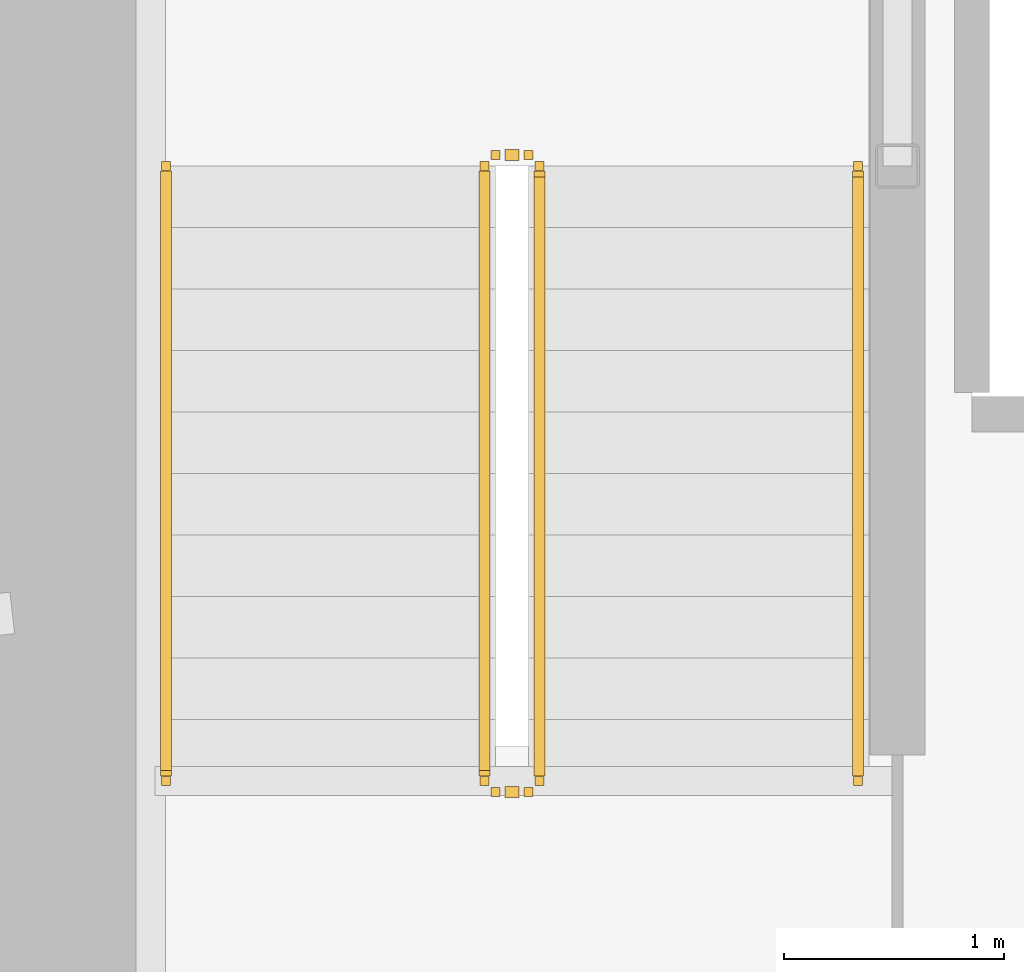
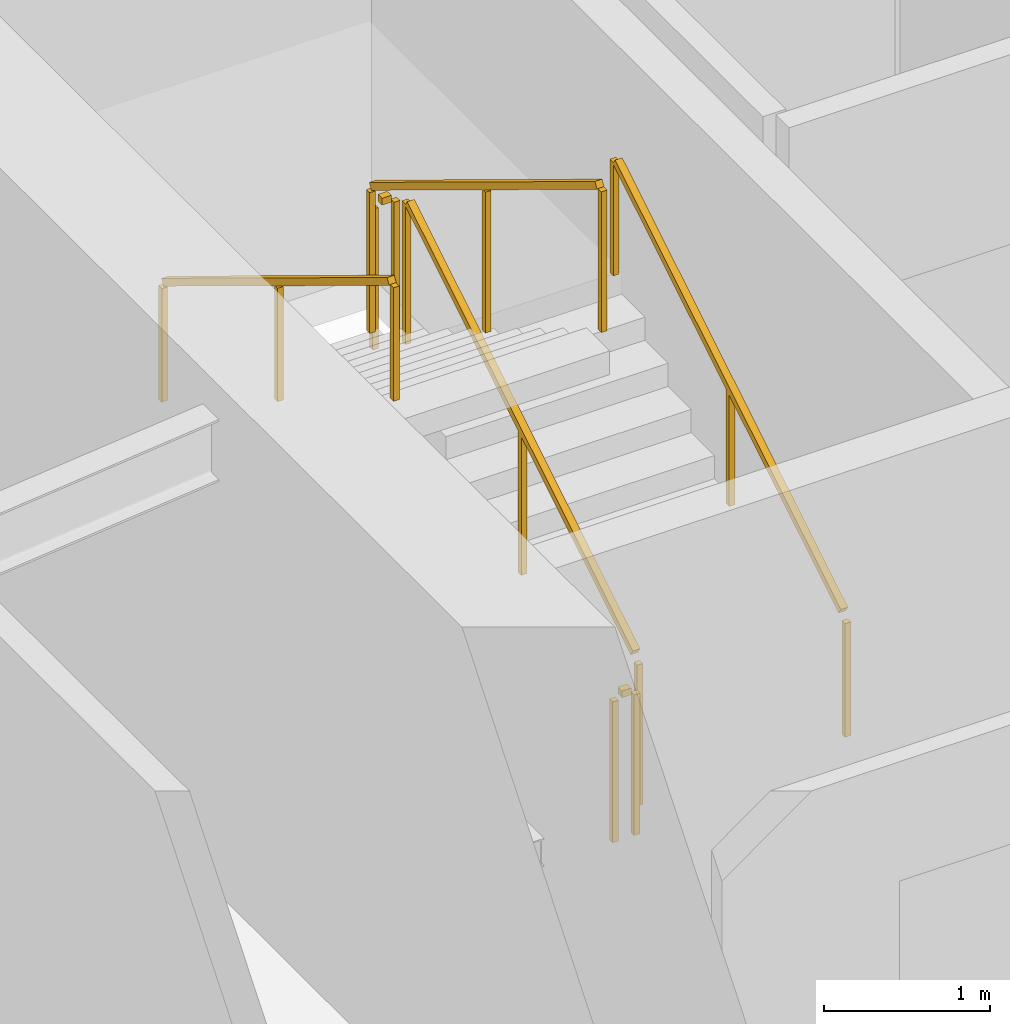
# One storey, part 17 of 20: 6 railings.
"""IFC4 building model written with IfcOpenShell, lengths in metres."""

from ifc_helpers import new_model, si_unit, direction, frame, origin, origin_2d, place, context, subcontext, project, spatial, rectangle, extrude, material, type_object, element, save


model = new_model("IFC4")

# Units and contexts
model_context = context("Model", 3, precision=1e-05, world=origin(), true_north=direction((0.0, 1.0)))
body_context = subcontext(model_context, "Body", "Model", "MODEL_VIEW")
ifc_project = project(units=[si_unit("LENGTHUNIT", "METRE"), si_unit("AREAUNIT", "SQUARE_METRE"), si_unit("VOLUMEUNIT", "CUBIC_METRE"), si_unit("PLANEANGLEUNIT", "RADIAN"), si_unit("MASSUNIT", "GRAM", prefix="KILO")], contexts=[model_context])

# Site, building, storey
site_placement = place(None, origin())
site = spatial("IfcSite", under=ifc_project, at=site_placement, CompositionType="ELEMENT")
building_placement = place(site_placement, origin())
building = spatial("IfcBuilding", under=site, at=building_placement, Name="Kazma Halo Residences", CompositionType="ELEMENT")
storey_placement = place(building_placement, frame((0.0, 0.0, 142.800048828125)))
storey = spatial("IfcBuildingStorey", under=building, at=storey_placement, Name="L35", CompositionType="ELEMENT", Elevation=142.800048828125)

# Railings
ifc_material_1 = material(Name="Painted Steel S355", Category="steel")
railing_type_1 = type_object("IfcRailingType", Name="RLG-STAIR-GRD-1100", PredefinedType="GUARDRAIL", material=ifc_material_1)
railing_1_placement = place(storey_placement, frame((39.550048828125, 39.949951171875, 0.17041015625)))
element("IfcRailing", 1, at=railing_1_placement, inside=storey, type_object=railing_type_1, Name="L35 ST-01 stair guard 1", PredefinedType="GUARDRAIL", context=body_context, shape_type="SweptSolid", body=[
    extrude(rectangle(XDim=0.050048828125, YDim=0.050048828125, at=origin_2d()), frame((0.0, 0.036376953125, 1.09716796875), z_axis=(0.0, 0.854169791009, 0.51999420009), x_axis=(-1.0, 0.0, 0.0)), (0.0, 0.0, 1.0), 3.193115234375),
    extrude(rectangle(XDim=0.0400390625, YDim=0.0400390625, at=origin_2d()), origin(), (0.0, 0.0, 1.0), 1.0380859375),
    extrude(rectangle(XDim=0.0400390625, YDim=0.0400390625, at=origin_2d()), frame((0.0, 1.39990234375, 0.852294921875)), (0.0, 0.0, 1.0), 1.0380859375),
    extrude(rectangle(XDim=0.0400390625, YDim=0.0400390625, at=origin_2d()), frame((0.0, 2.800048828125, 1.70458984375)), (0.0, 0.0, 1.0), 1.0380859375),
])
railing_2_placement = place(storey_placement, frame((39.5, 42.800048828125, 1.875)))
element("IfcRailing", 2, at=railing_2_placement, inside=storey, type_object=railing_type_1, Name="L35 ST-01 stair guard 2", PredefinedType="GUARDRAIL", context=body_context, shape_type="SweptSolid", body=[
    extrude(rectangle(XDim=0.050048828125, YDim=0.050048828125, at=origin_2d()), frame((-0.04248046875, 0.0, 1.0751953125), z_axis=(-1.0, 0.0, 0.0), x_axis=(0.0, -1.0, 0.0)), (0.0, 0.0, 1.0), 0.06494140625),
    extrude(rectangle(XDim=0.0400390625, YDim=0.0400390625, at=origin_2d()), origin(), (0.0, 0.0, 1.0), 1.0380859375),
    extrude(rectangle(XDim=0.0400390625, YDim=0.0400390625, at=origin_2d()), frame((-0.14990234375, 0.0, 0.0)), (0.0, 0.0, 1.0), 1.0380859375),
])
railing_3_placement = place(storey_placement, frame((39.300048828125, 42.75, 2.04541015625)))
element("IfcRailing", 3, at=railing_3_placement, inside=storey, type_object=railing_type_1, Name="L35 ST-01 stair guard 3", PredefinedType="GUARDRAIL", context=body_context, shape_type="SweptSolid", body=[
    extrude(rectangle(XDim=0.050048828125, YDim=0.050048828125, at=origin_2d()), frame((0.0, -0.036376953125, 1.09716796875), z_axis=(0.0, -0.854169791009, 0.51999420009), x_axis=(1.0, 0.0, 0.0)), (0.0, 0.0, 1.0), 3.193115234375),
    extrude(rectangle(XDim=0.0400390625, YDim=0.0400390625, at=origin_2d()), origin(), (0.0, 0.0, 1.0), 1.0380859375),
    extrude(rectangle(XDim=0.0400390625, YDim=0.0400390625, at=origin_2d()), frame((0.0, -1.39990234375, 0.852294921875)), (0.0, 0.0, 1.0), 1.0380859375),
    extrude(rectangle(XDim=0.0400390625, YDim=0.0400390625, at=origin_2d()), frame((0.0, -2.800048828125, 1.70458984375)), (0.0, 0.0, 1.0), 1.0380859375),
])
railing_4_placement = place(storey_placement, frame((39.5, 39.89990234375, 0.0)))
element("IfcRailing", 4, at=railing_4_placement, inside=storey, type_object=railing_type_1, Name="L35 ST-01 stair guard 4", PredefinedType="GUARDRAIL", context=body_context, shape_type="SweptSolid", body=[
    extrude(rectangle(XDim=0.050048828125, YDim=0.050048828125, at=origin_2d()), frame((-0.04248046875, 0.0, 1.0751953125), z_axis=(-1.0, 0.0, 0.0), x_axis=(0.0, -1.0, 0.0)), (0.0, 0.0, 1.0), 0.06494140625),
    extrude(rectangle(XDim=0.0400390625, YDim=0.0400390625, at=origin_2d()), origin(), (0.0, 0.0, 1.0), 1.0380859375),
    extrude(rectangle(XDim=0.0400390625, YDim=0.0400390625, at=origin_2d()), frame((-0.14990234375, 0.0, 0.0)), (0.0, 0.0, 1.0), 1.0380859375),
])
ifc_material_2 = material(Name="Brushed Stainless Steel", Category="steel")
railing_type_2 = type_object("IfcRailingType", Name="RLG-STAIR-HND-900", PredefinedType="HANDRAIL", material=ifc_material_2)
railing_5_placement = place(storey_placement, frame((41.0, 39.949951171875, 0.17041015625)))
element("IfcRailing", 5, at=railing_5_placement, inside=storey, type_object=railing_type_2, Name="L35 ST-01 stair handrail 1", PredefinedType="HANDRAIL", context=body_context, shape_type="SweptSolid", body=[
    extrude(rectangle(XDim=0.050048828125, YDim=0.050048828125, at=origin_2d()), frame((0.0, 0.036376953125, 0.89697265625), z_axis=(0.0, 0.854169791009, 0.51999420009), x_axis=(-1.0, 0.0, 0.0)), (0.0, 0.0, 1.0), 3.193115234375),
    extrude(rectangle(XDim=0.0400390625, YDim=0.0400390625, at=origin_2d()), origin(), (0.0, 0.0, 1.0), 0.837890625),
    extrude(rectangle(XDim=0.0400390625, YDim=0.0400390625, at=origin_2d()), frame((0.0, 1.39990234375, 0.852294921875)), (0.0, 0.0, 1.0), 0.837890625),
    extrude(rectangle(XDim=0.0400390625, YDim=0.0400390625, at=origin_2d()), frame((0.0, 2.800048828125, 1.70458984375)), (0.0, 0.0, 1.0), 0.837890625),
])
railing_6_placement = place(storey_placement, frame((37.85009765625, 42.75, 2.04541015625)))
element("IfcRailing", 6, at=railing_6_placement, inside=storey, type_object=railing_type_2, Name="L35 ST-01 stair handrail 2", PredefinedType="HANDRAIL", context=body_context, shape_type="SweptSolid", body=[
    extrude(rectangle(XDim=0.050048828125, YDim=0.050048828125, at=origin_2d()), frame((0.0, -0.036376953125, 0.89697265625), z_axis=(0.0, -0.854169791009, 0.51999420009), x_axis=(1.0, 0.0, 0.0)), (0.0, 0.0, 1.0), 3.193115234375),
    extrude(rectangle(XDim=0.0400390625, YDim=0.0400390625, at=origin_2d()), origin(), (0.0, 0.0, 1.0), 0.837890625),
    extrude(rectangle(XDim=0.0400390625, YDim=0.0400390625, at=origin_2d()), frame((0.0, -1.39990234375, 0.852294921875)), (0.0, 0.0, 1.0), 0.837890625),
    extrude(rectangle(XDim=0.0400390625, YDim=0.0400390625, at=origin_2d()), frame((0.0, -2.800048828125, 1.70458984375)), (0.0, 0.0, 1.0), 0.837890625),
])

save(model, "model.ifc")
